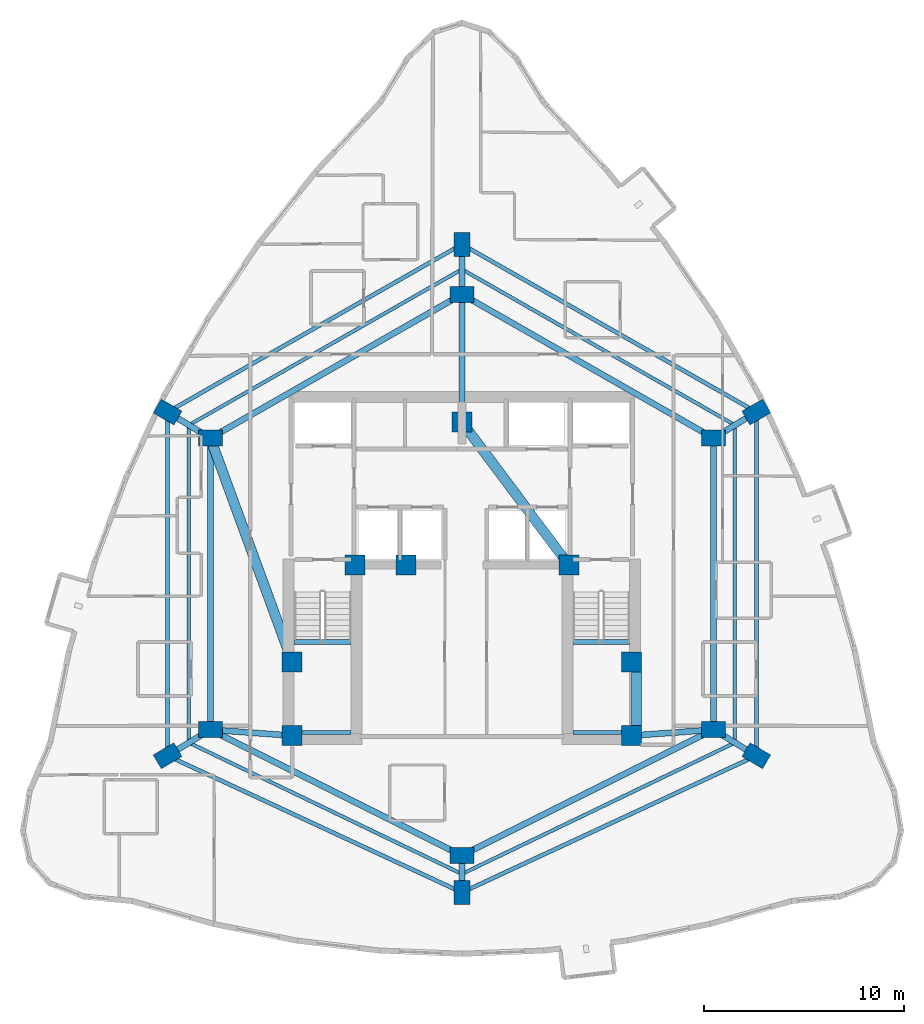
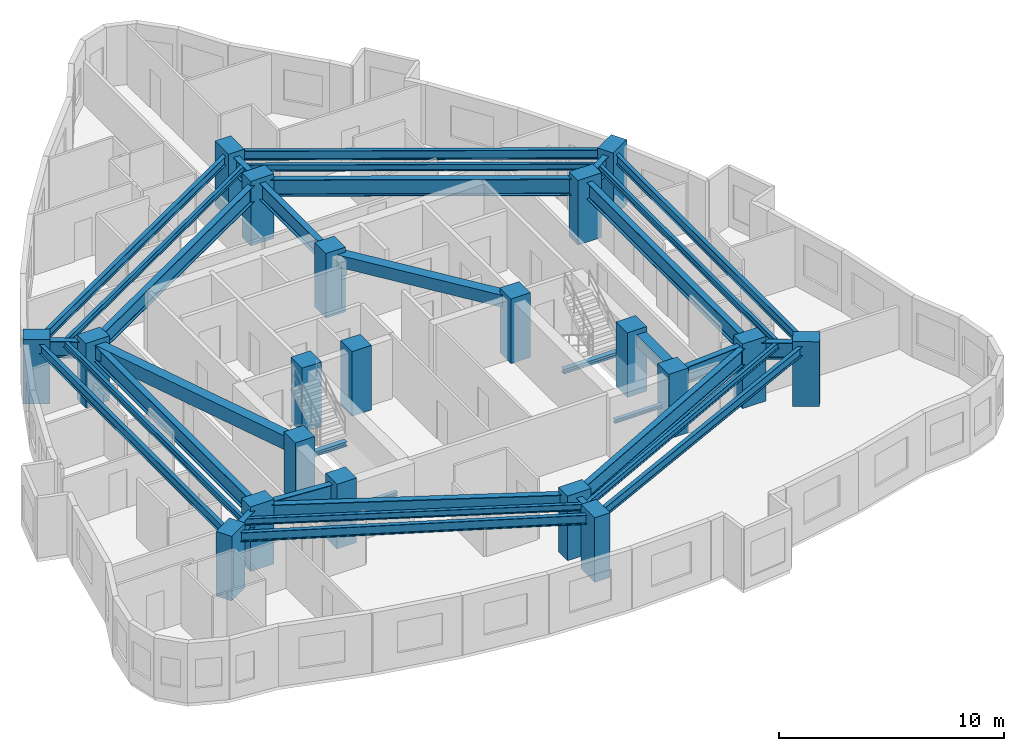
# One storey, part 1 of 14: 34 beams, 20 columns.
"""IFC4 building model written with IfcOpenShell, lengths in metres."""

from ifc_helpers import new_model, si_unit, direction, frame, origin, origin_2d, place, context, subcontext, project, spatial, rectangle, i_section, extrude, material, material_profile, profile_set, type_object, element, save


model = new_model("IFC4")

# Units and contexts
model_context = context("Model", 3, precision=1e-05, world=origin(), true_north=direction((0.0, 1.0)))
body_context = subcontext(model_context, "Body", "Model", "MODEL_VIEW")
ifc_project = project(units=[si_unit("LENGTHUNIT", "METRE"), si_unit("AREAUNIT", "SQUARE_METRE"), si_unit("VOLUMEUNIT", "CUBIC_METRE"), si_unit("PLANEANGLEUNIT", "RADIAN"), si_unit("MASSUNIT", "GRAM", prefix="KILO")], contexts=[model_context])

# Site, building, storey
site_placement = place(None, origin())
site = spatial("IfcSite", under=ifc_project, at=site_placement, CompositionType="ELEMENT")
building_placement = place(site_placement, origin())
building = spatial("IfcBuilding", under=site, at=building_placement, Name="Miruveldt Soraemaru", CompositionType="ELEMENT")
storey_placement = place(building_placement, frame((0.0, 0.0, 114.39990234375)))
storey = spatial("IfcBuildingStorey", under=building, at=storey_placement, Name="L31", CompositionType="ELEMENT", Elevation=114.39990234375)

# Columns
ifc_material_1 = material(Name="Concrete C60/75 (60 MPa)", Category="concrete")
ifc_material_profile_1 = material_profile(ifc_material_1, rectangle(XDim=1.0, YDim=1.0, at=origin_2d()), Name="Concrete C60/75 (60 MPa)", Category="concrete")
ifc_profile_set_1 = profile_set([ifc_material_profile_1], Name="Concrete C60/75 (60 MPa)")
column_type_1 = type_object("IfcColumnType", Name="COL-CORE-1000", PredefinedType="COLUMN", material=ifc_profile_set_1)
for number, where, z_axis, x_axis, name in (
    (1, (35.5, 35.5, 0.0), (0.0, 0.0, 1.0), (1.0, 0.0, 0.0), "L31 Structural Column CC1"),
    (2, (38.64990234375, 44.050048828125, 0.0), (0.0, 0.0, 1.0), (1.0, 0.0, 0.0), "L31 Structural Column CC2"),
    (3, (52.5, 35.5, 0.0), (0.0, 0.0, 1.0), (1.0, 0.0, 0.0), "L31 Structural Column CC3"),
    (4, (52.5, 39.199951171875, 0.0), (0.0, 0.0, 1.0), (1.0, 0.0, 0.0), "L31 Structural Column CC4"),
    (5, (49.35009765625, 44.050048828125, 0.0), (0.0, 0.0, 1.0), (1.0, 0.0, 0.0), "L31 Structural Column CC5"),
    (6, (44.0, 51.199951171875, 0.0), (0.0, 0.0, 1.0), (1.0, 0.0, 0.0), "L31 Structural Column CC6"),
    (7, (35.5, 39.199951171875, 0.0), (0.0, 0.0, 1.0), (1.0, 0.0, 0.0), "L31 Structural Column CC7"),
    (8, (41.199951171875, 44.050048828125, 0.0), (0.0, 0.0, 1.0), (1.0, 0.0, 0.0), "L31 Structural Column CC8"),
):
    element("IfcColumn", number, at=place(storey_placement, frame(where, z_axis=z_axis, x_axis=x_axis)), inside=storey, type_object=column_type_1, Name=name, PredefinedType="COLUMN", context=body_context, shape_type="SweptSolid", body=[
        extrude(rectangle(XDim=1.0, YDim=1.0, at=origin_2d()), origin(), (0.0, 0.0, 1.0), 3.5),
    ])
ifc_material_2 = material(Name="Concrete C70/85 (70 MPa)", Category="concrete")
ifc_material_profile_2 = material_profile(ifc_material_2, rectangle(XDim=1.199951171875, YDim=0.800048828125, at=origin_2d()), Name="Concrete C70/85 (70 MPa)", Category="concrete")
ifc_profile_set_2 = profile_set([ifc_material_profile_2], Name="Concrete C70/85 (70 MPa)")
column_type_2 = type_object("IfcColumnType", Name="COL-TW-Z2", PredefinedType="COLUMN", material=ifc_profile_set_2)
for number, where, z_axis, x_axis, name in (
    (9, (44.0, 57.60009765625, 0.0), (0.0, 0.0, 1.0), (1.0, 0.0, 0.0), "L31 Structural Column IR01"),
    (10, (56.60009765625, 50.39990234375, 0.0), (0.0, 0.0, 1.0), (1.0, 0.0, 0.0), "L31 Structural Column IR02"),
    (11, (56.60009765625, 35.800048828125, 0.0), (0.0, 0.0, 1.0), (1.0, 0.0, 0.0), "L31 Structural Column IR03"),
    (12, (44.0, 29.5, 0.0), (0.0, 0.0, 1.0), (1.0, 0.0, 0.0), "L31 Structural Column IR04"),
    (13, (31.39990234375, 35.800048828125, 0.0), (0.0, 0.0, 1.0), (1.0, 0.0, 0.0), "L31 Structural Column IR05"),
    (14, (31.39990234375, 50.39990234375, 0.0), (0.0, 0.0, 1.0), (1.0, 0.0, 0.0), "L31 Structural Column IR06"),
    (15, (44.0, 60.10595703125, 0.0), (0.0, 0.0, 1.0), (0.0, 1.0, 0.0), "L31 Structural Column Z2P01"),
    (16, (58.739990234375, 51.705078125, 0.0), (0.0, 0.0, 1.0), (0.866025403784, 0.5, 0.0), "L31 Structural Column Z2P02"),
    (17, (58.739990234375, 34.4951171875, 0.0), (0.0, 0.0, 1.0), (-0.860742027004, 0.50904141575, 0.0), "L31 Structural Column Z2P03"),
    (18, (44.0, 27.64697265625, 0.0), (0.0, 0.0, 1.0), (0.0, 1.0, 0.0), "L31 Structural Column Z2P04"),
    (19, (29.260009765625, 34.4951171875, 0.0), (0.0, 0.0, 1.0), (0.860742027004, 0.50904141575, 0.0), "L31 Structural Column Z2P05"),
    (20, (29.260009765625, 51.705078125, 0.0), (0.0, 0.0, 1.0), (-0.866025403784, 0.5, 0.0), "L31 Structural Column Z2P06"),
):
    element("IfcColumn", number, at=place(storey_placement, frame(where, z_axis=z_axis, x_axis=x_axis)), inside=storey, type_object=column_type_2, Name=name, PredefinedType="COLUMN", context=body_context, shape_type="SweptSolid", body=[
        extrude(rectangle(XDim=1.199951171875, YDim=0.800048828125, at=origin_2d()), origin(), (0.0, 0.0, 1.0), 3.5),
    ])

# Beams
ifc_material_3 = material(Name="Concrete C50/60 (50 MPa)", Category="concrete")
ifc_material_profile_3 = material_profile(ifc_material_3, rectangle(XDim=0.5, YDim=0.64990234375, at=origin_2d()), Name="Concrete C50/60 (50 MPa)", Category="concrete")
ifc_profile_set_3 = profile_set([ifc_material_profile_3], Name="Concrete C50/60 (50 MPa)")
beam_type_1 = type_object("IfcBeamType", Name="BM-RC-500x650", PredefinedType="BEAM", material=ifc_profile_set_3)
beam_1_placement = place(storey_placement, frame((52.72998046875, 35.5, 2.91015625), z_axis=(0.0, 1.0, 0.0), x_axis=(-1.0, 0.0, 0.0)))
element("IfcBeam", 21, at=beam_1_placement, inside=storey, type_object=beam_type_1, Name="L31 Core Tie Beam 3", PredefinedType="BEAM", context=body_context, shape_type="SweptSolid", body=[
    extrude(rectangle(XDim=0.5, YDim=0.64990234375, at=origin_2d()), origin(), (0.0, 0.0, 1.0), 3.699951171875),
])
beam_2_placement = place(storey_placement, frame((49.35009765625, 44.050048828125, 2.91015625), z_axis=(-0.599116023999, 0.800662219533, 0.0), x_axis=(-0.800662219533, -0.599116023999, 0.0)))
element("IfcBeam", 22, at=beam_2_placement, inside=storey, type_object=beam_type_1, Name="L31 Core Tie Beam 5", PredefinedType="BEAM", context=body_context, shape_type="SweptSolid", body=[
    extrude(rectangle(XDim=0.5, YDim=0.64990234375, at=origin_2d()), origin(), (0.0, 0.0, 1.0), 8.929931640625),
])
ifc_material_4 = material(Name="Concrete C40/50 (40 MPa)", Category="concrete")
ifc_material_profile_4 = material_profile(ifc_material_4, rectangle(XDim=0.5, YDim=0.75, at=origin_2d()), Name="Concrete C40/50 (40 MPa)", Category="concrete")
ifc_profile_set_4 = profile_set([ifc_material_profile_4], Name="Concrete C40/50 (40 MPa)")
beam_type_2 = type_object("IfcBeamType", Name="BM-RC-500x750", PredefinedType="LINTEL", material=ifc_profile_set_4)
beam_3_placement = place(storey_placement, frame((31.39990234375, 50.39990234375, 2.860107421875), z_axis=(0.343770424598, -0.939053723262, 0.0), x_axis=(0.939053723262, 0.343770424598, 0.0)))
element("IfcBeam", 23, at=beam_3_placement, inside=storey, type_object=beam_type_2, Name="L31 West Lobby Lintel", PredefinedType="LINTEL", context=body_context, shape_type="SweptSolid", body=[
    extrude(rectangle(XDim=0.5, YDim=0.75, at=origin_2d()), origin(), (0.0, 0.0, 1.0), 11.9267578125),
])
ifc_material_5 = material(Name="Steel SM355 (355 MPa)", Category="steel")
ifc_material_profile_5 = material_profile(ifc_material_5, i_section(OverallWidth=0.175048828125, OverallDepth=0.35009765625, WebThickness=0.007080078125, FlangeThickness=0.010986328125, FilletRadius=0.013916015625, at=origin_2d()), Name="Steel SM355 (355 MPa)", Category="steel")
ifc_profile_set_5 = profile_set([ifc_material_profile_5], Name="Steel SM355 (355 MPa)")
beam_type_3 = type_object("IfcBeamType", Name="BM-ST-H350", PredefinedType="JOIST", material=ifc_profile_set_5)
beam_4_placement = place(storey_placement, frame((44.0, 58.85302734375, 3.06005859375), z_axis=(0.868539859756, -0.495619321672, 0.0), x_axis=(0.495619321672, 0.868539859756, 0.0)))
element("IfcBeam", 24, at=beam_4_placement, inside=storey, type_object=beam_type_3, Name="L31 Outer Bay Floor Joist 1", PredefinedType="JOIST", context=body_context, shape_type="SweptSolid", body=[
    extrude(i_section(OverallWidth=0.175048828125, OverallDepth=0.35009765625, WebThickness=0.007080078125, FlangeThickness=0.010986328125, FilletRadius=0.013916015625, at=origin_2d()), origin(), (0.0, 0.0, 1.0), 15.739013671875),
])
beam_5_placement = place(storey_placement, frame((57.669921875, 51.052490234375, 3.06005859375), z_axis=(0.0, -1.0, 0.0), x_axis=(1.0, 0.0, 0.0)))
element("IfcBeam", 25, at=beam_5_placement, inside=storey, type_object=beam_type_3, Name="L31 Outer Bay Floor Joist 2", PredefinedType="JOIST", context=body_context, shape_type="SweptSolid", body=[
    extrude(i_section(OverallWidth=0.175048828125, OverallDepth=0.35009765625, WebThickness=0.007080078125, FlangeThickness=0.010986328125, FilletRadius=0.013916015625, at=origin_2d()), origin(), (0.0, 0.0, 1.0), 15.905029296875),
])
for number, where, z_axis, x_axis, name in (
    (26, (57.669921875, 35.1474609375, 3.06005859375), (-0.901203586802, -0.433396002676, 0.0), (0.433396002676, -0.901203586802, 0.0), "L31 Outer Bay Floor Joist 3"),
    (27, (44.0, 28.573486328125, 3.06005859375), (-0.901203586802, 0.433396002676, 0.0), (-0.433396002676, -0.901203586802, 0.0), "L31 Outer Bay Floor Joist 4"),
):
    element("IfcBeam", number, at=place(storey_placement, frame(where, z_axis=z_axis, x_axis=x_axis)), inside=storey, type_object=beam_type_3, Name=name, PredefinedType="JOIST", context=body_context, shape_type="SweptSolid", body=[
        extrude(i_section(OverallWidth=0.175048828125, OverallDepth=0.35009765625, WebThickness=0.007080078125, FlangeThickness=0.010986328125, FilletRadius=0.013916015625, at=origin_2d()), origin(), (0.0, 0.0, 1.0), 15.16845703125),
    ])
beam_6_placement = place(storey_placement, frame((30.330078125, 35.1474609375, 3.06005859375), z_axis=(0.0, 1.0, 0.0), x_axis=(-1.0, 0.0, 0.0)))
element("IfcBeam", 28, at=beam_6_placement, inside=storey, type_object=beam_type_3, Name="L31 Outer Bay Floor Joist 5", PredefinedType="JOIST", context=body_context, shape_type="SweptSolid", body=[
    extrude(i_section(OverallWidth=0.175048828125, OverallDepth=0.35009765625, WebThickness=0.007080078125, FlangeThickness=0.010986328125, FilletRadius=0.013916015625, at=origin_2d()), origin(), (0.0, 0.0, 1.0), 15.905029296875),
])
beam_7_placement = place(storey_placement, frame((30.330078125, 51.052490234375, 3.06005859375), z_axis=(0.868539859756, 0.495619321672, 0.0), x_axis=(-0.495619321672, 0.868539859756, 0.0)))
element("IfcBeam", 29, at=beam_7_placement, inside=storey, type_object=beam_type_3, Name="L31 Outer Bay Floor Joist 6", PredefinedType="JOIST", context=body_context, shape_type="SweptSolid", body=[
    extrude(i_section(OverallWidth=0.175048828125, OverallDepth=0.35009765625, WebThickness=0.007080078125, FlangeThickness=0.010986328125, FilletRadius=0.013916015625, at=origin_2d()), origin(), (0.0, 0.0, 1.0), 15.739013671875),
])
ifc_material_profile_6 = material_profile(ifc_material_5, i_section(OverallWidth=0.199951171875, OverallDepth=0.5, WebThickness=0.010009765625, FlangeThickness=0.01611328125, FilletRadius=0.02001953125, at=origin_2d()), Name="Steel SM355 (355 MPa)", Category="steel")
ifc_profile_set_6 = profile_set([ifc_material_profile_6], Name="Steel SM355 (355 MPa)")
beam_type_4 = type_object("IfcBeamType", Name="BM-ST-H500", PredefinedType="SPANDREL", material=ifc_profile_set_6)
beam_8_placement = place(storey_placement, frame((44.0, 60.10595703125, 2.985107421875), z_axis=(0.86880048516, -0.495162313778, 0.0), x_axis=(0.495162313778, 0.86880048516, 0.0)))
element("IfcBeam", 30, at=beam_8_placement, inside=storey, type_object=beam_type_4, Name="L31 Zone-2 Spandrel Beam 1", PredefinedType="SPANDREL", context=body_context, shape_type="SweptSolid", body=[
    extrude(i_section(OverallWidth=0.199951171875, OverallDepth=0.5, WebThickness=0.010009765625, FlangeThickness=0.01611328125, FilletRadius=0.02001953125, at=origin_2d()), origin(), (0.0, 0.0, 1.0), 16.9658203125),
])
beam_9_placement = place(storey_placement, frame((58.739990234375, 51.705078125, 2.985107421875), z_axis=(0.0, -1.0, 0.0), x_axis=(1.0, 0.0, 0.0)))
element("IfcBeam", 31, at=beam_9_placement, inside=storey, type_object=beam_type_4, Name="L31 Zone-2 Spandrel Beam 2", PredefinedType="SPANDREL", context=body_context, shape_type="SweptSolid", body=[
    extrude(i_section(OverallWidth=0.199951171875, OverallDepth=0.5, WebThickness=0.010009765625, FlangeThickness=0.01611328125, FilletRadius=0.02001953125, at=origin_2d()), origin(), (0.0, 0.0, 1.0), 17.2099609375),
])
for number, where, z_axis, x_axis, name in (
    (32, (58.739990234375, 34.4951171875, 2.985107421875), (-0.906901362829, -0.421342993414, 0.0), (0.421342993414, -0.906901362829, 0.0), "L31 Zone-2 Spandrel Beam 3"),
    (33, (44.0, 27.64697265625, 2.985107421875), (-0.906901362829, 0.421342993414, 0.0), (-0.421342993414, -0.906901362829, 0.0), "L31 Zone-2 Spandrel Beam 4"),
):
    element("IfcBeam", number, at=place(storey_placement, frame(where, z_axis=z_axis, x_axis=x_axis)), inside=storey, type_object=beam_type_4, Name=name, PredefinedType="SPANDREL", context=body_context, shape_type="SweptSolid", body=[
        extrude(i_section(OverallWidth=0.199951171875, OverallDepth=0.5, WebThickness=0.010009765625, FlangeThickness=0.01611328125, FilletRadius=0.02001953125, at=origin_2d()), origin(), (0.0, 0.0, 1.0), 16.253173828125),
    ])
beam_10_placement = place(storey_placement, frame((29.260009765625, 34.4951171875, 2.985107421875), z_axis=(0.0, 1.0, 0.0), x_axis=(-1.0, 0.0, 0.0)))
element("IfcBeam", 34, at=beam_10_placement, inside=storey, type_object=beam_type_4, Name="L31 Zone-2 Spandrel Beam 5", PredefinedType="SPANDREL", context=body_context, shape_type="SweptSolid", body=[
    extrude(i_section(OverallWidth=0.199951171875, OverallDepth=0.5, WebThickness=0.010009765625, FlangeThickness=0.01611328125, FilletRadius=0.02001953125, at=origin_2d()), origin(), (0.0, 0.0, 1.0), 17.2099609375),
])
beam_11_placement = place(storey_placement, frame((29.260009765625, 51.705078125, 2.985107421875), z_axis=(0.86880048516, 0.495162313778, 0.0), x_axis=(-0.495162313778, 0.86880048516, 0.0)))
element("IfcBeam", 35, at=beam_11_placement, inside=storey, type_object=beam_type_4, Name="L31 Zone-2 Spandrel Beam 6", PredefinedType="SPANDREL", context=body_context, shape_type="SweptSolid", body=[
    extrude(i_section(OverallWidth=0.199951171875, OverallDepth=0.5, WebThickness=0.010009765625, FlangeThickness=0.01611328125, FilletRadius=0.02001953125, at=origin_2d()), origin(), (0.0, 0.0, 1.0), 16.9658203125),
])
ifc_material_6 = material(Name="Steel S460 (460 MPa)", Category="steel")
ifc_material_profile_7 = material_profile(ifc_material_6, i_section(OverallWidth=0.300048828125, OverallDepth=0.89990234375, WebThickness=0.01611328125, FlangeThickness=0.028076171875, FilletRadius=0.028076171875, at=origin_2d()), Name="Steel S460 (460 MPa)", Category="steel")
ifc_profile_set_7 = profile_set([ifc_material_profile_7], Name="Steel S460 (460 MPa)")
beam_type_5 = type_object("IfcBeamType", Name="BM-ST-H900", PredefinedType="BEAM", material=ifc_profile_set_7)
beam_12_placement = place(storey_placement, frame((44.0, 57.60009765625, 2.78515625), z_axis=(0.868239001029, -0.496146185203, 0.0), x_axis=(0.496146185203, 0.868239001029, 0.0)))
element("IfcBeam", 36, at=beam_12_placement, inside=storey, type_object=beam_type_5, Name="L31 Inner Ring Girder 1", PredefinedType="BEAM", context=body_context, shape_type="SweptSolid", body=[
    extrude(i_section(OverallWidth=0.300048828125, OverallDepth=0.89990234375, WebThickness=0.01611328125, FlangeThickness=0.028076171875, FilletRadius=0.028076171875, at=origin_2d()), origin(), (0.0, 0.0, 1.0), 14.51220703125),
])
beam_13_placement = place(storey_placement, frame((44.0, 51.199951171875, 2.78515625), z_axis=(0.0, 1.0, 0.0), x_axis=(-1.0, 0.0, 0.0)))
element("IfcBeam", 37, at=beam_13_placement, inside=storey, type_object=beam_type_5, Name="L31 Core-to-Inner Radial Girder 1", PredefinedType="BEAM", context=body_context, shape_type="SweptSolid", body=[
    extrude(i_section(OverallWidth=0.300048828125, OverallDepth=0.89990234375, WebThickness=0.01611328125, FlangeThickness=0.028076171875, FilletRadius=0.028076171875, at=origin_2d()), origin(), (0.0, 0.0, 1.0), 6.400146484375),
])
beam_14_placement = place(storey_placement, frame((56.60009765625, 50.39990234375, 2.78515625), z_axis=(0.0, -1.0, 0.0), x_axis=(1.0, 0.0, 0.0)))
element("IfcBeam", 38, at=beam_14_placement, inside=storey, type_object=beam_type_5, Name="L31 Inner Ring Girder 2", PredefinedType="BEAM", context=body_context, shape_type="SweptSolid", body=[
    extrude(i_section(OverallWidth=0.300048828125, OverallDepth=0.89990234375, WebThickness=0.01611328125, FlangeThickness=0.028076171875, FilletRadius=0.028076171875, at=origin_2d()), origin(), (0.0, 0.0, 1.0), 14.599853515625),
])
beam_15_placement = place(storey_placement, frame((56.60009765625, 35.800048828125, 2.78515625), z_axis=(-0.894427191, -0.4472135955, 0.0), x_axis=(0.4472135955, -0.894427191, 0.0)))
element("IfcBeam", 39, at=beam_15_placement, inside=storey, type_object=beam_type_5, Name="L31 Inner Ring Girder 3", PredefinedType="BEAM", context=body_context, shape_type="SweptSolid", body=[
    extrude(i_section(OverallWidth=0.300048828125, OverallDepth=0.89990234375, WebThickness=0.01611328125, FlangeThickness=0.028076171875, FilletRadius=0.028076171875, at=origin_2d()), origin(), (0.0, 0.0, 1.0), 14.08740234375),
])
beam_16_placement = place(storey_placement, frame((52.5, 35.5, 2.78515625), z_axis=(0.997332985605, 0.072985723431, 0.0), x_axis=(-0.072985723431, 0.997332985605, 0.0)))
element("IfcBeam", 40, at=beam_16_placement, inside=storey, type_object=beam_type_5, Name="L31 Core-to-Inner Radial Girder 3", PredefinedType="BEAM", context=body_context, shape_type="SweptSolid", body=[
    extrude(i_section(OverallWidth=0.300048828125, OverallDepth=0.89990234375, WebThickness=0.01611328125, FlangeThickness=0.028076171875, FilletRadius=0.028076171875, at=origin_2d()), origin(), (0.0, 0.0, 1.0), 4.111083984375),
])
beam_17_placement = place(storey_placement, frame((44.0, 29.5, 2.78515625), z_axis=(-0.894427191, 0.4472135955, 0.0), x_axis=(-0.4472135955, -0.894427191, 0.0)))
element("IfcBeam", 41, at=beam_17_placement, inside=storey, type_object=beam_type_5, Name="L31 Inner Ring Girder 4", PredefinedType="BEAM", context=body_context, shape_type="SweptSolid", body=[
    extrude(i_section(OverallWidth=0.300048828125, OverallDepth=0.89990234375, WebThickness=0.01611328125, FlangeThickness=0.028076171875, FilletRadius=0.028076171875, at=origin_2d()), origin(), (0.0, 0.0, 1.0), 14.08740234375),
])
beam_18_placement = place(storey_placement, frame((31.39990234375, 35.800048828125, 2.78515625), z_axis=(0.0, 1.0, 0.0), x_axis=(-1.0, 0.0, 0.0)))
element("IfcBeam", 42, at=beam_18_placement, inside=storey, type_object=beam_type_5, Name="L31 Inner Ring Girder 5", PredefinedType="BEAM", context=body_context, shape_type="SweptSolid", body=[
    extrude(i_section(OverallWidth=0.300048828125, OverallDepth=0.89990234375, WebThickness=0.01611328125, FlangeThickness=0.028076171875, FilletRadius=0.028076171875, at=origin_2d()), origin(), (0.0, 0.0, 1.0), 14.599853515625),
])
beam_19_placement = place(storey_placement, frame((35.5, 35.5, 2.78515625), z_axis=(-0.997332985605, 0.072985723431, 0.0), x_axis=(-0.072985723431, -0.997332985605, 0.0)))
element("IfcBeam", 43, at=beam_19_placement, inside=storey, type_object=beam_type_5, Name="L31 Core-to-Inner Radial Girder 5", PredefinedType="BEAM", context=body_context, shape_type="SweptSolid", body=[
    extrude(i_section(OverallWidth=0.300048828125, OverallDepth=0.89990234375, WebThickness=0.01611328125, FlangeThickness=0.028076171875, FilletRadius=0.028076171875, at=origin_2d()), origin(), (0.0, 0.0, 1.0), 4.111083984375),
])
beam_20_placement = place(storey_placement, frame((31.39990234375, 50.39990234375, 2.78515625), z_axis=(0.868239001029, 0.496146185203, 0.0), x_axis=(-0.496146185203, 0.868239001029, 0.0)))
element("IfcBeam", 44, at=beam_20_placement, inside=storey, type_object=beam_type_5, Name="L31 Inner Ring Girder 6", PredefinedType="BEAM", context=body_context, shape_type="SweptSolid", body=[
    extrude(i_section(OverallWidth=0.300048828125, OverallDepth=0.89990234375, WebThickness=0.01611328125, FlangeThickness=0.028076171875, FilletRadius=0.028076171875, at=origin_2d()), origin(), (0.0, 0.0, 1.0), 14.51220703125),
])
beam_21_placement = place(storey_placement, frame((44.0, 57.60009765625, 2.78515625), z_axis=(0.0, 1.0, 0.0), x_axis=(-1.0, 0.0, 0.0)))
element("IfcBeam", 45, at=beam_21_placement, inside=storey, type_object=beam_type_5, Name="L31 Zone-2 Radial Girder 1", PredefinedType="BEAM", context=body_context, shape_type="SweptSolid", body=[
    extrude(i_section(OverallWidth=0.300048828125, OverallDepth=0.89990234375, WebThickness=0.01611328125, FlangeThickness=0.028076171875, FilletRadius=0.028076171875, at=origin_2d()), origin(), (0.0, 0.0, 1.0), 2.505859375),
])
beam_22_placement = place(storey_placement, frame((56.60009765625, 50.39990234375, 2.78515625), z_axis=(0.85373175529, 0.520713059188, 0.0), x_axis=(-0.520713059188, 0.85373175529, 0.0)))
element("IfcBeam", 46, at=beam_22_placement, inside=storey, type_object=beam_type_5, Name="L31 Zone-2 Radial Girder 2", PredefinedType="BEAM", context=body_context, shape_type="SweptSolid", body=[
    extrude(i_section(OverallWidth=0.300048828125, OverallDepth=0.89990234375, WebThickness=0.01611328125, FlangeThickness=0.028076171875, FilletRadius=0.028076171875, at=origin_2d()), origin(), (0.0, 0.0, 1.0), 2.506591796875),
])
beam_23_placement = place(storey_placement, frame((56.60009765625, 35.800048828125, 2.78515625), z_axis=(0.853775054686, -0.5206420613, 0.0), x_axis=(0.5206420613, 0.853775054686, 0.0)))
element("IfcBeam", 47, at=beam_23_placement, inside=storey, type_object=beam_type_5, Name="L31 Zone-2 Radial Girder 3", PredefinedType="BEAM", context=body_context, shape_type="SweptSolid", body=[
    extrude(i_section(OverallWidth=0.300048828125, OverallDepth=0.89990234375, WebThickness=0.01611328125, FlangeThickness=0.028076171875, FilletRadius=0.028076171875, at=origin_2d()), origin(), (0.0, 0.0, 1.0), 2.50634765625),
])
beam_24_placement = place(storey_placement, frame((44.0, 29.5, 2.78515625), z_axis=(0.0, -1.0, 0.0), x_axis=(1.0, 0.0, 0.0)))
element("IfcBeam", 48, at=beam_24_placement, inside=storey, type_object=beam_type_5, Name="L31 Zone-2 Radial Girder 4", PredefinedType="BEAM", context=body_context, shape_type="SweptSolid", body=[
    extrude(i_section(OverallWidth=0.300048828125, OverallDepth=0.89990234375, WebThickness=0.01611328125, FlangeThickness=0.028076171875, FilletRadius=0.028076171875, at=origin_2d()), origin(), (0.0, 0.0, 1.0), 1.85302734375),
])
beam_25_placement = place(storey_placement, frame((31.39990234375, 35.800048828125, 2.78515625), z_axis=(-0.853775054686, -0.5206420613, 0.0), x_axis=(0.5206420613, -0.853775054686, 0.0)))
element("IfcBeam", 49, at=beam_25_placement, inside=storey, type_object=beam_type_5, Name="L31 Zone-2 Radial Girder 5", PredefinedType="BEAM", context=body_context, shape_type="SweptSolid", body=[
    extrude(i_section(OverallWidth=0.300048828125, OverallDepth=0.89990234375, WebThickness=0.01611328125, FlangeThickness=0.028076171875, FilletRadius=0.028076171875, at=origin_2d()), origin(), (0.0, 0.0, 1.0), 2.50634765625),
])
beam_26_placement = place(storey_placement, frame((31.39990234375, 50.39990234375, 2.78515625), z_axis=(-0.85373175529, 0.520713059188, 0.0), x_axis=(-0.520713059188, -0.85373175529, 0.0)))
element("IfcBeam", 50, at=beam_26_placement, inside=storey, type_object=beam_type_5, Name="L31 Zone-2 Radial Girder 6", PredefinedType="BEAM", context=body_context, shape_type="SweptSolid", body=[
    extrude(i_section(OverallWidth=0.300048828125, OverallDepth=0.89990234375, WebThickness=0.01611328125, FlangeThickness=0.028076171875, FilletRadius=0.028076171875, at=origin_2d()), origin(), (0.0, 0.0, 1.0), 2.506591796875),
])
ifc_material_profile_8 = material_profile(ifc_material_5, i_section(OverallWidth=0.199951171875, OverallDepth=0.199951171875, WebThickness=0.008056640625, FlangeThickness=0.011962890625, FilletRadius=0.012939453125, at=origin_2d()), Name="Steel SM355 (355 MPa)", Category="steel")
ifc_profile_set_8 = profile_set([ifc_material_profile_8], Name="Steel SM355 (355 MPa)")
beam_type_6 = type_object("IfcBeamType", Name="BM-ST-LND200", PredefinedType="BEAM", material=ifc_profile_set_8)
for number, where, z_axis, x_axis, name in (
    (51, (35.60009765625, 35.64990234375, 1.4501953125), (1.0, 0.0, 0.0), (0.0, 1.0, 0.0), "L31 ST1 Landing End Beam 1B"),
    (52, (49.550048828125, 35.64990234375, 1.4501953125), (1.0, 0.0, 0.0), (0.0, 1.0, 0.0), "L31 ST2 Landing End Beam 1B"),
):
    element("IfcBeam", number, at=place(storey_placement, frame(where, z_axis=z_axis, x_axis=x_axis)), inside=storey, type_object=beam_type_6, Name=name, PredefinedType="BEAM", context=body_context, shape_type="SweptSolid", body=[
        extrude(i_section(OverallWidth=0.199951171875, OverallDepth=0.199951171875, WebThickness=0.008056640625, FlangeThickness=0.011962890625, FilletRadius=0.012939453125, at=origin_2d()), origin(), (0.0, 0.0, 1.0), 2.849853515625),
    ])
ifc_material_profile_9 = material_profile(ifc_material_5, i_section(OverallWidth=0.25, OverallDepth=0.25, WebThickness=0.009033203125, FlangeThickness=0.013916015625, FilletRadius=0.01611328125, at=origin_2d()), Name="Steel SM355 (355 MPa)", Category="steel")
ifc_profile_set_9 = profile_set([ifc_material_profile_9], Name="Steel SM355 (355 MPa)")
beam_type_7 = type_object("IfcBeamType", Name="BM-ST-LND250", PredefinedType="BEAM", material=ifc_profile_set_9)
for number, where, z_axis, x_axis, name in (
    (53, (35.60009765625, 40.179931640625, 1.425048828125), (1.0, 0.0, 0.0), (0.0, 1.0, 0.0), "L31 ST1 Landing Support Beam 1A"),
    (54, (49.550048828125, 40.179931640625, 1.425048828125), (1.0, 0.0, 0.0), (0.0, 1.0, 0.0), "L31 ST2 Landing Support Beam 1A"),
):
    element("IfcBeam", number, at=place(storey_placement, frame(where, z_axis=z_axis, x_axis=x_axis)), inside=storey, type_object=beam_type_7, Name=name, PredefinedType="BEAM", context=body_context, shape_type="SweptSolid", body=[
        extrude(i_section(OverallWidth=0.25, OverallDepth=0.25, WebThickness=0.009033203125, FlangeThickness=0.013916015625, FilletRadius=0.01611328125, at=origin_2d()), origin(), (0.0, 0.0, 1.0), 2.849853515625),
    ])

save(model, "model.ifc")
